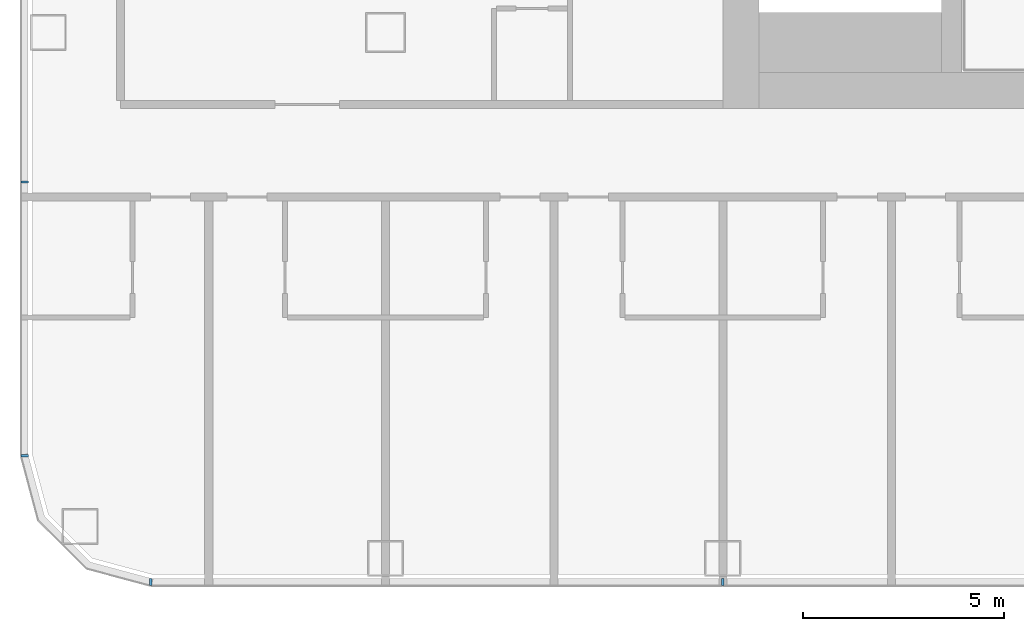
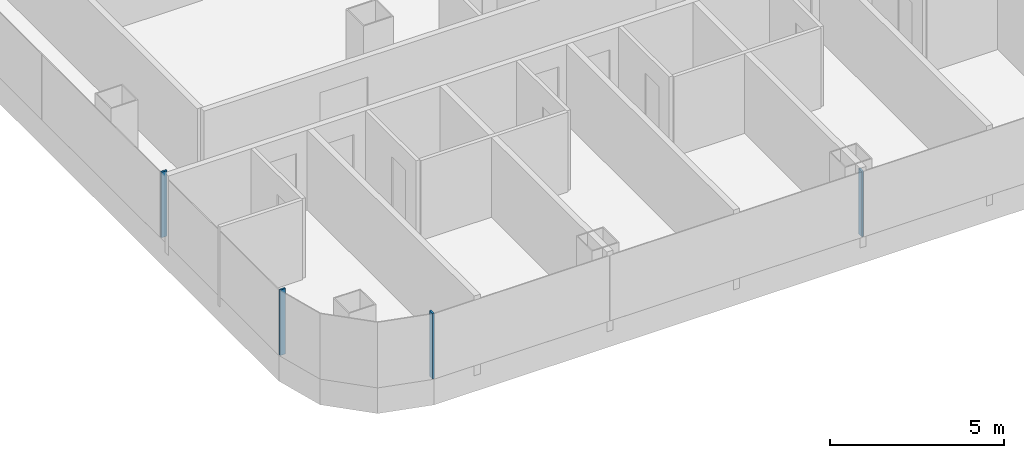
# One storey, part 2 of 29: 4 members, 2 elements without a shape of their own.
"""IFC4 building model written with IfcOpenShell, lengths in metres."""

from ifc_helpers import new_model, si_unit, direction, frame, origin, origin_2d, place, context, subcontext, project, spatial, rectangle, extrude, material, layer, layer_set, material_profile, profile_set, type_object, element, aggregate, save


model = new_model("IFC4")

# Units and contexts
model_context = context("Model", 3, precision=1e-05, world=origin(), true_north=direction((0.0, 1.0)))
body_context = subcontext(model_context, "Body", "Model", "MODEL_VIEW")
ifc_project = project(units=[si_unit("LENGTHUNIT", "METRE"), si_unit("AREAUNIT", "SQUARE_METRE"), si_unit("VOLUMEUNIT", "CUBIC_METRE"), si_unit("PLANEANGLEUNIT", "RADIAN"), si_unit("MASSUNIT", "GRAM", prefix="KILO")], contexts=[model_context])

# Site, building, storey
site_placement = place(None, origin())
site = spatial("IfcSite", under=ifc_project, at=site_placement, CompositionType="ELEMENT")
building_placement = place(site_placement, origin())
building = spatial("IfcBuilding", under=site, at=building_placement, Name="Hakoniwa Tower and Hamabe Station Hall", CompositionType="ELEMENT")
storey_placement = place(building_placement, frame((0.0, 0.0, 55.0)))
storey = spatial("IfcBuildingStorey", under=building, at=storey_placement, Name="L15", CompositionType="ELEMENT", Elevation=55.0)

# Curtain wall, members
ifc_material_1 = material(Name="Dark low-e laminated glass", Category="glass")
ifc_layer = layer(ifc_material_1, 0.199951171875)
ifc_layer_set = layer_set([ifc_layer], Name="CW-1 UNITISED GUEST")
curtain_wall_type = type_object("IfcCurtainWallType", Name="CW-1 UNITISED GUEST", PredefinedType="NOTDEFINED", material=ifc_layer_set)
curtain_wall_1_placement = place(storey_placement, origin())
curtain_wall_1 = element("IfcCurtainWall", 1, at=curtain_wall_1_placement, inside=storey, type_object=curtain_wall_type, Name="CW-1 curtain wall", PredefinedType="NOTDEFINED")
ifc_material_2 = material(Name="Aluminium 6063-T5 black anodised", Category="aluminium")
ifc_material_profile = material_profile(ifc_material_2, rectangle(XDim=0.06005859375, YDim=0.179931640625, at=origin_2d()), Name="CW-1 MULLION 60X180")
ifc_profile_set = profile_set([ifc_material_profile], Name="Aluminium 6063-T5 black anodised")
member_type = type_object("IfcMemberType", Name="CW-1 MULLION 60X180", PredefinedType="MULLION", material=ifc_profile_set)
member_1_placement = place(storey_placement, frame((-50.98193359375, -10.2236328125, 0.35009765625), z_axis=(0.0, 0.0, 1.0), x_axis=(0.0, -1.0, 0.0)))
member_1 = element("IfcMember", 2, at=member_1_placement, type_object=member_type, Name="CW-1 mullion", PredefinedType="MULLION", context=body_context, shape_type="SweptSolid", body=[
    extrude(rectangle(XDim=0.06005859375, YDim=0.179931640625, at=origin_2d()), origin(), (0.0, 0.0, 1.0), 2.2998046875),
])
member_2_placement = place(storey_placement, frame((-50.98193359375, -17.03955078125, 0.35009765625), z_axis=(0.0, 0.0, 1.0), x_axis=(0.0, -1.0, 0.0)))
member_2 = element("IfcMember", 3, at=member_2_placement, type_object=member_type, Name="CW-1 mullion", PredefinedType="MULLION", context=body_context, shape_type="SweptSolid", body=[
    extrude(rectangle(XDim=0.06005859375, YDim=0.179931640625, at=origin_2d()), origin(), (0.0, 0.0, 1.0), 2.2998046875),
])
aggregate(curtain_wall_1, [member_1, member_2])

curtain_wall_2_placement = place(storey_placement, origin())
curtain_wall_2 = element("IfcCurtainWall", 4, at=curtain_wall_2_placement, inside=storey, type_object=curtain_wall_type, Name="CW-1 curtain wall", PredefinedType="NOTDEFINED")
member_3_placement = place(storey_placement, frame((-47.839599609375, -20.181884765625, 0.35009765625), z_axis=(0.0, 0.0, 1.0), x_axis=(1.0, 0.0, 0.0)))
member_3 = element("IfcMember", 5, at=member_3_placement, type_object=member_type, Name="CW-1 mullion", PredefinedType="MULLION", context=body_context, shape_type="SweptSolid", body=[
    extrude(rectangle(XDim=0.06005859375, YDim=0.179931640625, at=origin_2d()), origin(), (0.0, 0.0, 1.0), 2.2998046875),
])
member_4_placement = place(storey_placement, frame((-33.60009765625, -20.181884765625, 0.35009765625), z_axis=(0.0, 0.0, 1.0), x_axis=(1.0, 0.0, 0.0)))
member_4 = element("IfcMember", 6, at=member_4_placement, type_object=member_type, Name="CW-1 mullion", PredefinedType="MULLION", context=body_context, shape_type="SweptSolid", body=[
    extrude(rectangle(XDim=0.06005859375, YDim=0.179931640625, at=origin_2d()), origin(), (0.0, 0.0, 1.0), 2.2998046875),
])
aggregate(curtain_wall_2, [member_3, member_4])

save(model, "model.ifc")
